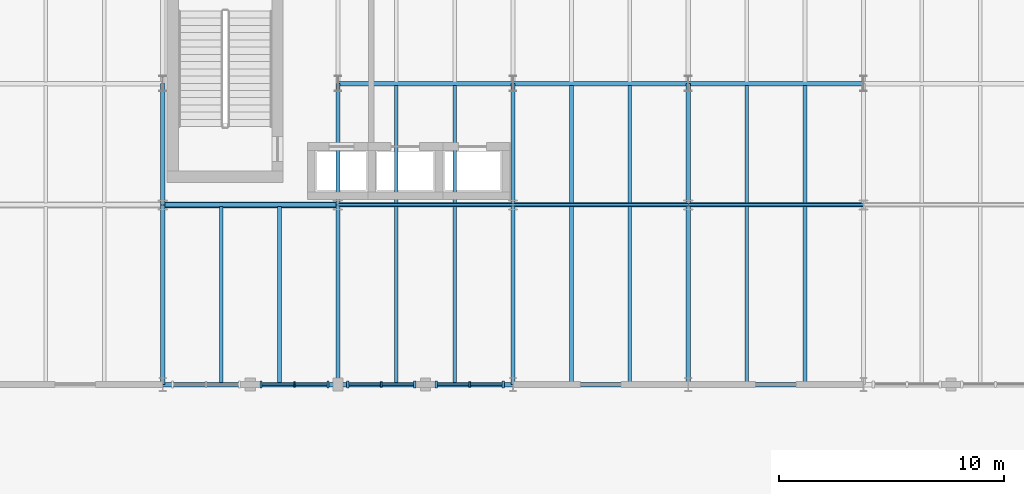
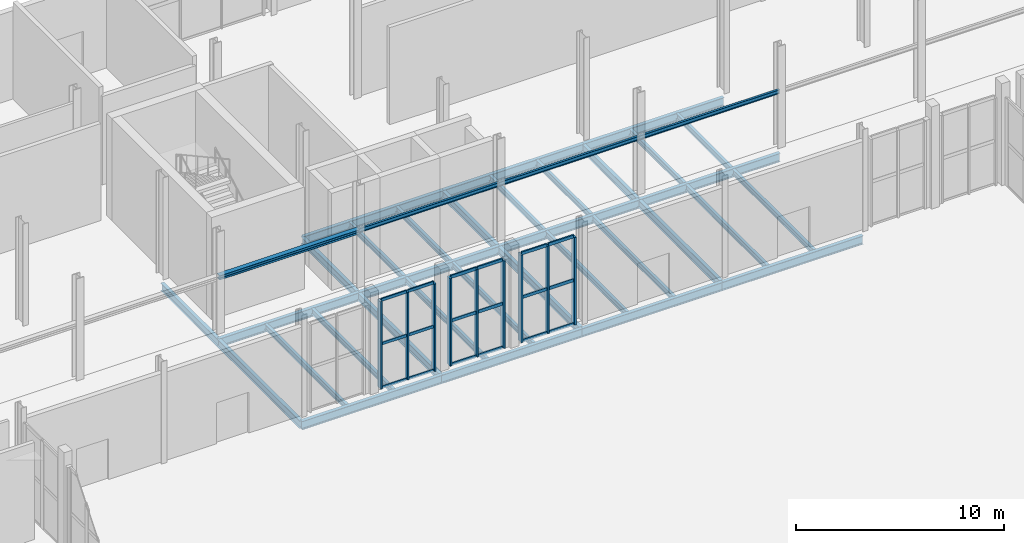
# One storey, part 36 of 84: 37 beams, 27 members, 3 elements without a shape of their own.
"""IFC4 building model written with IfcOpenShell, lengths in metres."""

from ifc_helpers import new_model, si_unit, direction, frame, origin, origin_2d, place, context, subcontext, project, spatial, rectangle, i_section, extrude, material, layer, layer_set, material_profile, profile_set, type_object, element, aggregate, save


model = new_model("IFC4")

# Units and contexts
model_context = context("Model", 3, precision=1e-05, world=origin(), true_north=direction((0.0, 1.0)))
body_context = subcontext(model_context, "Body", "Model", "MODEL_VIEW")
ifc_project = project(units=[si_unit("LENGTHUNIT", "METRE"), si_unit("AREAUNIT", "SQUARE_METRE"), si_unit("VOLUMEUNIT", "CUBIC_METRE"), si_unit("PLANEANGLEUNIT", "RADIAN"), si_unit("MASSUNIT", "GRAM", prefix="KILO")], contexts=[model_context])

# Site, building, storey
site_placement = place(None, origin())
site = spatial("IfcSite", under=ifc_project, at=site_placement, CompositionType="ELEMENT")
building_placement = place(site_placement, origin())
building = spatial("IfcBuilding", under=site, at=building_placement, Name="Sefraquen Railside Congress Hotel", CompositionType="ELEMENT")
storey_placement = place(building_placement, origin())
storey = spatial("IfcBuildingStorey", under=building, at=storey_placement, Name="L00", CompositionType="ELEMENT", Elevation=0.0)

# Beams
ifc_material_1 = material(Name="Steel S355JR", Category="steel")
ifc_material_profile_1 = material_profile(ifc_material_1, i_section(OverallWidth=0.18994140625, OverallDepth=0.449951171875, WebThickness=0.009521484375, FlangeThickness=0.0146484375, FilletRadius=0.02099609375, at=origin_2d()), Name="IPE 450")
ifc_profile_set_1 = profile_set([ifc_material_profile_1], Name="Steel S355JR")
beam_type_1 = type_object("IfcBeamType", Name="TB-BM-450", PredefinedType="BEAM", material=ifc_profile_set_1)
beam_1_placement = place(storey_placement, frame((64.199951171875, 88.0, -0.625), z_axis=(0.0, 1.0, 0.0), x_axis=(-1.0, 0.0, 0.0)))
element("IfcBeam", 1, at=beam_1_placement, inside=storey, type_object=beam_type_1, Name="Floor beam BM-L00-0241", PredefinedType="BEAM", context=body_context, shape_type="SweptSolid", body=[
    extrude(i_section(OverallWidth=0.18994140625, OverallDepth=0.449951171875, WebThickness=0.009521484375, FlangeThickness=0.0146484375, FilletRadius=0.02099609375, at=origin_2d()), origin(), (0.0, 0.0, 1.0), 8.0),
])
beam_2_placement = place(storey_placement, frame((64.199951171875, 96.0, -0.625), z_axis=(0.0, 1.0, 0.0), x_axis=(-1.0, 0.0, 0.0)))
element("IfcBeam", 2, at=beam_2_placement, inside=storey, type_object=beam_type_1, Name="Floor beam BM-L00-0242", PredefinedType="BEAM", context=body_context, shape_type="SweptSolid", body=[
    extrude(i_section(OverallWidth=0.18994140625, OverallDepth=0.449951171875, WebThickness=0.009521484375, FlangeThickness=0.0146484375, FilletRadius=0.02099609375, at=origin_2d()), origin(), (0.0, 0.0, 1.0), 5.39990234375),
])
beam_3_placement = place(storey_placement, frame((72.0, 88.0, -0.625), z_axis=(0.0, 1.0, 0.0), x_axis=(-1.0, 0.0, 0.0)))
element("IfcBeam", 3, at=beam_3_placement, inside=storey, type_object=beam_type_1, Name="Floor beam BM-L00-0245", PredefinedType="BEAM", context=body_context, shape_type="SweptSolid", body=[
    extrude(i_section(OverallWidth=0.18994140625, OverallDepth=0.449951171875, WebThickness=0.009521484375, FlangeThickness=0.0146484375, FilletRadius=0.02099609375, at=origin_2d()), origin(), (0.0, 0.0, 1.0), 8.0),
])
beam_4_placement = place(storey_placement, frame((72.0, 96.0, -0.625), z_axis=(0.0, 1.0, 0.0), x_axis=(-1.0, 0.0, 0.0)))
element("IfcBeam", 4, at=beam_4_placement, inside=storey, type_object=beam_type_1, Name="Floor beam BM-L00-0246", PredefinedType="BEAM", context=body_context, shape_type="SweptSolid", body=[
    extrude(i_section(OverallWidth=0.18994140625, OverallDepth=0.449951171875, WebThickness=0.009521484375, FlangeThickness=0.0146484375, FilletRadius=0.02099609375, at=origin_2d()), origin(), (0.0, 0.0, 1.0), 5.39990234375),
])
beam_5_placement = place(storey_placement, frame((79.800048828125, 88.0, -0.625), z_axis=(0.0, 1.0, 0.0), x_axis=(-1.0, 0.0, 0.0)))
element("IfcBeam", 5, at=beam_5_placement, inside=storey, type_object=beam_type_1, Name="Floor beam BM-L00-0250", PredefinedType="BEAM", context=body_context, shape_type="SweptSolid", body=[
    extrude(i_section(OverallWidth=0.18994140625, OverallDepth=0.449951171875, WebThickness=0.009521484375, FlangeThickness=0.0146484375, FilletRadius=0.02099609375, at=origin_2d()), origin(), (0.0, 0.0, 1.0), 8.0),
])
beam_6_placement = place(storey_placement, frame((79.800048828125, 96.0, -0.625), z_axis=(0.0, 1.0, 0.0), x_axis=(-1.0, 0.0, 0.0)))
element("IfcBeam", 6, at=beam_6_placement, inside=storey, type_object=beam_type_1, Name="Floor beam BM-L00-0251", PredefinedType="BEAM", context=body_context, shape_type="SweptSolid", body=[
    extrude(i_section(OverallWidth=0.18994140625, OverallDepth=0.449951171875, WebThickness=0.009521484375, FlangeThickness=0.0146484375, FilletRadius=0.02099609375, at=origin_2d()), origin(), (0.0, 0.0, 1.0), 5.39990234375),
])
beam_7_placement = place(storey_placement, frame((87.60009765625, 88.0, -0.625), z_axis=(0.0, 1.0, 0.0), x_axis=(-1.0, 0.0, 0.0)))
element("IfcBeam", 7, at=beam_7_placement, inside=storey, type_object=beam_type_1, Name="Floor beam BM-L00-0259", PredefinedType="BEAM", context=body_context, shape_type="SweptSolid", body=[
    extrude(i_section(OverallWidth=0.18994140625, OverallDepth=0.449951171875, WebThickness=0.009521484375, FlangeThickness=0.0146484375, FilletRadius=0.02099609375, at=origin_2d()), origin(), (0.0, 0.0, 1.0), 8.0),
])
beam_8_placement = place(storey_placement, frame((87.60009765625, 96.0, -0.625), z_axis=(0.0, 1.0, 0.0), x_axis=(-1.0, 0.0, 0.0)))
element("IfcBeam", 8, at=beam_8_placement, inside=storey, type_object=beam_type_1, Name="Floor beam BM-L00-0260", PredefinedType="BEAM", context=body_context, shape_type="SweptSolid", body=[
    extrude(i_section(OverallWidth=0.18994140625, OverallDepth=0.449951171875, WebThickness=0.009521484375, FlangeThickness=0.0146484375, FilletRadius=0.02099609375, at=origin_2d()), origin(), (0.0, 0.0, 1.0), 5.39990234375),
])
ifc_material_profile_2 = material_profile(ifc_material_1, i_section(OverallWidth=0.199951171875, OverallDepth=0.5, WebThickness=0.01025390625, FlangeThickness=0.01611328125, FilletRadius=0.02099609375, at=origin_2d()), Name="IPE 500")
ifc_profile_set_2 = profile_set([ifc_material_profile_2], Name="Steel S355JR")
beam_type_2 = type_object("IfcBeamType", Name="TB-BM-500", PredefinedType="BEAM", material=ifc_profile_set_2)
for number, where, z_axis, x_axis, name in (
    (9, (64.199951171875, 88.0, -0.64990234375), (1.0, 0.0, 0.0), (0.0, 1.0, 0.0), "Primary girder BM-L00-0106"),
    (10, (72.0, 88.0, -0.64990234375), (1.0, 0.0, 0.0), (0.0, 1.0, 0.0), "Primary girder BM-L00-0107"),
    (11, (79.800048828125, 88.0, -0.64990234375), (1.0, 0.0, 0.0), (0.0, 1.0, 0.0), "Primary girder BM-L00-0108"),
):
    element("IfcBeam", number, at=place(storey_placement, frame(where, z_axis=z_axis, x_axis=x_axis)), inside=storey, type_object=beam_type_2, Name=name, PredefinedType="BEAM", context=body_context, shape_type="SweptSolid", body=[
        extrude(i_section(OverallWidth=0.199951171875, OverallDepth=0.5, WebThickness=0.01025390625, FlangeThickness=0.01611328125, FilletRadius=0.02099609375, at=origin_2d()), origin(), (0.0, 0.0, 1.0), 7.800048828125),
    ])
beam_9_placement = place(storey_placement, frame((87.60009765625, 88.0, -0.64990234375), z_axis=(1.0, 0.0, 0.0), x_axis=(0.0, 1.0, 0.0)))
element("IfcBeam", 12, at=beam_9_placement, inside=storey, type_object=beam_type_2, Name="Primary girder BM-L00-0109", PredefinedType="BEAM", context=body_context, shape_type="SweptSolid", body=[
    extrude(i_section(OverallWidth=0.199951171875, OverallDepth=0.5, WebThickness=0.01025390625, FlangeThickness=0.01611328125, FilletRadius=0.02099609375, at=origin_2d()), origin(), (0.0, 0.0, 1.0), 7.7998046875),
])
for number, where, z_axis, x_axis, name in (
    (13, (64.199951171875, 96.0, -0.64990234375), (1.0, 0.0, 0.0), (0.0, 1.0, 0.0), "Primary girder BM-L00-0122"),
    (14, (72.0, 96.0, -0.64990234375), (1.0, 0.0, 0.0), (0.0, 1.0, 0.0), "Primary girder BM-L00-0123"),
    (15, (79.800048828125, 96.0, -0.64990234375), (1.0, 0.0, 0.0), (0.0, 1.0, 0.0), "Primary girder BM-L00-0124"),
):
    element("IfcBeam", number, at=place(storey_placement, frame(where, z_axis=z_axis, x_axis=x_axis)), inside=storey, type_object=beam_type_2, Name=name, PredefinedType="BEAM", context=body_context, shape_type="SweptSolid", body=[
        extrude(i_section(OverallWidth=0.199951171875, OverallDepth=0.5, WebThickness=0.01025390625, FlangeThickness=0.01611328125, FilletRadius=0.02099609375, at=origin_2d()), origin(), (0.0, 0.0, 1.0), 7.800048828125),
    ])
beam_10_placement = place(storey_placement, frame((87.60009765625, 96.0, -0.64990234375), z_axis=(1.0, 0.0, 0.0), x_axis=(0.0, 1.0, 0.0)))
element("IfcBeam", 16, at=beam_10_placement, inside=storey, type_object=beam_type_2, Name="Primary girder BM-L00-0125", PredefinedType="BEAM", context=body_context, shape_type="SweptSolid", body=[
    extrude(i_section(OverallWidth=0.199951171875, OverallDepth=0.5, WebThickness=0.01025390625, FlangeThickness=0.01611328125, FilletRadius=0.02099609375, at=origin_2d()), origin(), (0.0, 0.0, 1.0), 7.7998046875),
])
for number, where, z_axis, x_axis, name in (
    (17, (72.0, 101.39990234375, -0.64990234375), (1.0, 0.0, 0.0), (0.0, 1.0, 0.0), "Primary girder BM-L00-0141"),
    (18, (79.800048828125, 101.39990234375, -0.64990234375), (1.0, 0.0, 0.0), (0.0, 1.0, 0.0), "Primary girder BM-L00-0142"),
):
    element("IfcBeam", number, at=place(storey_placement, frame(where, z_axis=z_axis, x_axis=x_axis)), inside=storey, type_object=beam_type_2, Name=name, PredefinedType="BEAM", context=body_context, shape_type="SweptSolid", body=[
        extrude(i_section(OverallWidth=0.199951171875, OverallDepth=0.5, WebThickness=0.01025390625, FlangeThickness=0.01611328125, FilletRadius=0.02099609375, at=origin_2d()), origin(), (0.0, 0.0, 1.0), 7.800048828125),
    ])
beam_11_placement = place(storey_placement, frame((87.60009765625, 101.39990234375, -0.64990234375), z_axis=(1.0, 0.0, 0.0), x_axis=(0.0, 1.0, 0.0)))
element("IfcBeam", 19, at=beam_11_placement, inside=storey, type_object=beam_type_2, Name="Primary girder BM-L00-0143", PredefinedType="BEAM", context=body_context, shape_type="SweptSolid", body=[
    extrude(i_section(OverallWidth=0.199951171875, OverallDepth=0.5, WebThickness=0.01025390625, FlangeThickness=0.01611328125, FilletRadius=0.02099609375, at=origin_2d()), origin(), (0.0, 0.0, 1.0), 7.7998046875),
])
ifc_material_profile_3 = material_profile(ifc_material_1, i_section(OverallWidth=0.159912109375, OverallDepth=0.330078125, WebThickness=0.007568359375, FlangeThickness=0.011474609375, FilletRadius=0.01806640625, at=origin_2d()), Name="IPE 330")
ifc_profile_set_3 = profile_set([ifc_material_profile_3], Name="Steel S355JR")
beam_type_3 = type_object("IfcBeamType", Name="TB-JST-330", PredefinedType="JOIST", material=ifc_profile_set_3)
for number, where, z_axis, x_axis, name in (
    (20, (66.800048828125, 88.080078125, -0.56494140625), (0.0, 1.0, 0.0), (-1.0, 0.0, 0.0), "Composite floor joist BM-L00-J0104"),
    (21, (69.39990234375, 88.080078125, -0.56494140625), (0.0, 1.0, 0.0), (-1.0, 0.0, 0.0), "Composite floor joist BM-L00-J0105"),
    (22, (74.60009765625, 88.080078125, -0.56494140625), (0.0, 1.0, 0.0), (-1.0, 0.0, 0.0), "Composite floor joist BM-L00-J0108"),
    (23, (77.199951171875, 88.080078125, -0.56494140625), (0.0, 1.0, 0.0), (-1.0, 0.0, 0.0), "Composite floor joist BM-L00-J0109"),
):
    element("IfcBeam", number, at=place(storey_placement, frame(where, z_axis=z_axis, x_axis=x_axis)), inside=storey, type_object=beam_type_3, Name=name, PredefinedType="JOIST", context=body_context, shape_type="SweptSolid", body=[
        extrude(i_section(OverallWidth=0.159912109375, OverallDepth=0.330078125, WebThickness=0.007568359375, FlangeThickness=0.011474609375, FilletRadius=0.01806640625, at=origin_2d()), origin(), (0.0, 0.0, 1.0), 7.83984375),
    ])
for number, where, z_axis, x_axis, name in (
    (24, (74.60009765625, 96.080078125, -0.56494140625), (0.0, 1.0, 0.0), (-1.0, 0.0, 0.0), "Composite floor joist BM-L00-J0110"),
    (25, (77.199951171875, 96.080078125, -0.56494140625), (0.0, 1.0, 0.0), (-1.0, 0.0, 0.0), "Composite floor joist BM-L00-J0111"),
):
    element("IfcBeam", number, at=place(storey_placement, frame(where, z_axis=z_axis, x_axis=x_axis)), inside=storey, type_object=beam_type_3, Name=name, PredefinedType="JOIST", context=body_context, shape_type="SweptSolid", body=[
        extrude(i_section(OverallWidth=0.159912109375, OverallDepth=0.330078125, WebThickness=0.007568359375, FlangeThickness=0.011474609375, FilletRadius=0.01806640625, at=origin_2d()), origin(), (0.0, 0.0, 1.0), 5.239990234375),
    ])
for number, where, z_axis, x_axis, name in (
    (26, (82.39990234375, 88.080078125, -0.56494140625), (0.0, 1.0, 0.0), (-1.0, 0.0, 0.0), "Composite floor joist BM-L00-J0118"),
    (27, (85.0, 88.080078125, -0.56494140625), (0.0, 1.0, 0.0), (-1.0, 0.0, 0.0), "Composite floor joist BM-L00-J0119"),
):
    element("IfcBeam", number, at=place(storey_placement, frame(where, z_axis=z_axis, x_axis=x_axis)), inside=storey, type_object=beam_type_3, Name=name, PredefinedType="JOIST", context=body_context, shape_type="SweptSolid", body=[
        extrude(i_section(OverallWidth=0.159912109375, OverallDepth=0.330078125, WebThickness=0.007568359375, FlangeThickness=0.011474609375, FilletRadius=0.01806640625, at=origin_2d()), origin(), (0.0, 0.0, 1.0), 7.83984375),
    ])
for number, where, z_axis, x_axis, name in (
    (28, (82.39990234375, 96.080078125, -0.56494140625), (0.0, 1.0, 0.0), (-1.0, 0.0, 0.0), "Composite floor joist BM-L00-J0120"),
    (29, (85.0, 96.080078125, -0.56494140625), (0.0, 1.0, 0.0), (-1.0, 0.0, 0.0), "Composite floor joist BM-L00-J0121"),
):
    element("IfcBeam", number, at=place(storey_placement, frame(where, z_axis=z_axis, x_axis=x_axis)), inside=storey, type_object=beam_type_3, Name=name, PredefinedType="JOIST", context=body_context, shape_type="SweptSolid", body=[
        extrude(i_section(OverallWidth=0.159912109375, OverallDepth=0.330078125, WebThickness=0.007568359375, FlangeThickness=0.011474609375, FilletRadius=0.01806640625, at=origin_2d()), origin(), (0.0, 0.0, 1.0), 5.239990234375),
    ])
for number, where, z_axis, x_axis, name in (
    (30, (90.199951171875, 88.080078125, -0.56494140625), (0.0, 1.0, 0.0), (-1.0, 0.0, 0.0), "Composite floor joist BM-L00-J0136"),
    (31, (92.800048828125, 88.080078125, -0.56494140625), (0.0, 1.0, 0.0), (-1.0, 0.0, 0.0), "Composite floor joist BM-L00-J0137"),
):
    element("IfcBeam", number, at=place(storey_placement, frame(where, z_axis=z_axis, x_axis=x_axis)), inside=storey, type_object=beam_type_3, Name=name, PredefinedType="JOIST", context=body_context, shape_type="SweptSolid", body=[
        extrude(i_section(OverallWidth=0.159912109375, OverallDepth=0.330078125, WebThickness=0.007568359375, FlangeThickness=0.011474609375, FilletRadius=0.01806640625, at=origin_2d()), origin(), (0.0, 0.0, 1.0), 7.83984375),
    ])
for number, where, z_axis, x_axis, name in (
    (32, (90.199951171875, 96.080078125, -0.56494140625), (0.0, 1.0, 0.0), (-1.0, 0.0, 0.0), "Composite floor joist BM-L00-J0138"),
    (33, (92.800048828125, 96.080078125, -0.56494140625), (0.0, 1.0, 0.0), (-1.0, 0.0, 0.0), "Composite floor joist BM-L00-J0139"),
):
    element("IfcBeam", number, at=place(storey_placement, frame(where, z_axis=z_axis, x_axis=x_axis)), inside=storey, type_object=beam_type_3, Name=name, PredefinedType="JOIST", context=body_context, shape_type="SweptSolid", body=[
        extrude(i_section(OverallWidth=0.159912109375, OverallDepth=0.330078125, WebThickness=0.007568359375, FlangeThickness=0.011474609375, FilletRadius=0.01806640625, at=origin_2d()), origin(), (0.0, 0.0, 1.0), 5.239990234375),
    ])
ifc_material_profile_4 = material_profile(ifc_material_1, i_section(OverallWidth=0.1201171875, OverallDepth=0.239990234375, WebThickness=0.006103515625, FlangeThickness=0.009765625, FilletRadius=0.014892578125, at=origin_2d()), Name="IPE 240")
ifc_profile_set_4 = profile_set([ifc_material_profile_4], Name="Steel S355JR")
beam_type_4 = type_object("IfcBeamType", Name="TB-LNT-240", PredefinedType="LINTEL", material=ifc_profile_set_4)
for number, where, z_axis, x_axis, name in (
    (34, (72.0, 96.0, 3.199951171875), (1.0, 0.0, 0.0), (0.0, 1.0, 0.0), "Portal opening lintel beam 07"),
    (35, (79.800048828125, 96.0, 3.199951171875), (1.0, 0.0, 0.0), (0.0, 1.0, 0.0), "Portal opening lintel beam 08"),
):
    element("IfcBeam", number, at=place(storey_placement, frame(where, z_axis=z_axis, x_axis=x_axis)), inside=storey, type_object=beam_type_4, Name=name, PredefinedType="LINTEL", context=body_context, shape_type="SweptSolid", body=[
        extrude(i_section(OverallWidth=0.1201171875, OverallDepth=0.239990234375, WebThickness=0.006103515625, FlangeThickness=0.009765625, FilletRadius=0.014892578125, at=origin_2d()), origin(), (0.0, 0.0, 1.0), 7.800048828125),
    ])
beam_12_placement = place(storey_placement, frame((87.60009765625, 96.0, 3.199951171875), z_axis=(1.0, 0.0, 0.0), x_axis=(0.0, 1.0, 0.0)))
element("IfcBeam", 36, at=beam_12_placement, inside=storey, type_object=beam_type_4, Name="Portal opening lintel beam 09", PredefinedType="LINTEL", context=body_context, shape_type="SweptSolid", body=[
    extrude(i_section(OverallWidth=0.1201171875, OverallDepth=0.239990234375, WebThickness=0.006103515625, FlangeThickness=0.009765625, FilletRadius=0.014892578125, at=origin_2d()), origin(), (0.0, 0.0, 1.0), 7.7998046875),
])
ifc_material_profile_5 = material_profile(ifc_material_1, i_section(OverallWidth=0.260009765625, OverallDepth=0.25, WebThickness=0.007568359375, FlangeThickness=0.012451171875, FilletRadius=0.02392578125, at=origin_2d()), Name="HEA 260")
ifc_profile_set_5 = profile_set([ifc_material_profile_5], Name="Steel S355JR")
beam_type_5 = type_object("IfcBeamType", Name="TB-LNT-260", PredefinedType="LINTEL", material=ifc_profile_set_5)
beam_13_placement = place(storey_placement, frame((64.199951171875, 96.0, 3.199951171875), z_axis=(1.0, 0.0, 0.0), x_axis=(0.0, 1.0, 0.0)))
element("IfcBeam", 37, at=beam_13_placement, inside=storey, type_object=beam_type_5, Name="Portal opening lintel beam 06", PredefinedType="LINTEL", context=body_context, shape_type="SweptSolid", body=[
    extrude(i_section(OverallWidth=0.260009765625, OverallDepth=0.25, WebThickness=0.007568359375, FlangeThickness=0.012451171875, FilletRadius=0.02392578125, at=origin_2d()), origin(), (0.0, 0.0, 1.0), 7.800048828125),
])

# Curtain wall, member
ifc_material_2 = material(Name="Thermally broken anodised aluminium and low-E double glazing", Category="aluminium")
ifc_layer_1 = layer(ifc_material_2, 0.199951171875)
ifc_layer_set_1 = layer_set([ifc_layer_1], Name="Thermally broken anodised aluminium and low-E double glazing")
curtain_wall_type_1 = type_object("IfcCurtainWallType", Name="TCW-UCW-12", PredefinedType="USERDEFINED", material=ifc_layer_set_1)
curtain_wall_1_placement = place(storey_placement, origin())
curtain_wall_1 = element("IfcCurtainWall", 38, at=curtain_wall_1_placement, inside=storey, type_object=curtain_wall_type_1, Name="Courtyard north arcade curtain wall UCW-12 bay 2", ObjectType="UNITISED CURTAIN WALL", PredefinedType="USERDEFINED")
ifc_material_3 = material(Name="Thermally broken anodised aluminium 6063-T6", Category="aluminium")
ifc_material_profile_6 = material_profile(ifc_material_3, rectangle(XDim=0.080078125, YDim=0.239990234375, at=origin_2d()), Name="CWM 80x240")
ifc_profile_set_6 = profile_set([ifc_material_profile_6], Name="Thermally broken anodised aluminium 6063-T6")
member_type_1 = type_object("IfcMemberType", Name="TM-CWM-05", PredefinedType="MULLION", material=ifc_profile_set_6)
member_1_placement = place(storey_placement, frame((70.070068359375, 88.0, 0.0), z_axis=(0.0, 0.0, 1.0), x_axis=(1.0, 0.0, 0.0)))
member_1 = element("IfcMember", 39, at=member_1_placement, type_object=member_type_1, Name="CW-L00-012-S2 mullion 2", PredefinedType="MULLION", context=body_context, shape_type="SweptSolid", body=[
    extrude(rectangle(XDim=0.080078125, YDim=0.239990234375, at=origin_2d()), origin(), (0.0, 0.0, 1.0), 5.14990234375),
])

ifc_layer_2 = layer(ifc_material_2, 0.199951171875)
ifc_layer_set_2 = layer_set([ifc_layer_2], Name="Thermally broken anodised aluminium and low-E double glazing")
curtain_wall_type_2 = type_object("IfcCurtainWallType", Name="TCW-UCW-13", PredefinedType="USERDEFINED", material=ifc_layer_set_2)
curtain_wall_2_placement = place(storey_placement, origin())
curtain_wall_2 = element("IfcCurtainWall", 40, at=curtain_wall_2_placement, inside=storey, type_object=curtain_wall_type_2, Name="Courtyard north arcade curtain wall UCW-13", ObjectType="UNITISED CURTAIN WALL", PredefinedType="USERDEFINED")
ifc_material_profile_7 = material_profile(ifc_material_3, rectangle(XDim=0.0849609375, YDim=0.260009765625, at=origin_2d()), Name="CWM 85x260")
ifc_profile_set_7 = profile_set([ifc_material_profile_7], Name="Thermally broken anodised aluminium 6063-T6")
member_type_2 = type_object("IfcMemberType", Name="TM-CWM-06", PredefinedType="MULLION", material=ifc_profile_set_7)
member_2_placement = place(storey_placement, frame((73.929931640625, 88.0, 0.0), z_axis=(0.0, 0.0, 1.0), x_axis=(1.0, 0.0, 0.0)))
member_2 = element("IfcMember", 41, at=member_2_placement, type_object=member_type_2, Name="CW-L00-013 mullion 2", PredefinedType="MULLION", context=body_context, shape_type="SweptSolid", body=[
    extrude(rectangle(XDim=0.0849609375, YDim=0.260009765625, at=origin_2d()), origin(), (0.0, 0.0, 1.0), 5.14990234375),
])

curtain_wall_3_placement = place(storey_placement, origin())
curtain_wall_3 = element("IfcCurtainWall", 42, at=curtain_wall_3_placement, inside=storey, type_object=curtain_wall_type_2, Name="Courtyard north arcade curtain wall UCW-13 bay 2", ObjectType="UNITISED CURTAIN WALL", PredefinedType="USERDEFINED")
member_3_placement = place(storey_placement, frame((77.8701171875, 88.0, 0.0), z_axis=(0.0, 0.0, 1.0), x_axis=(1.0, 0.0, 0.0)))
member_3 = element("IfcMember", 43, at=member_3_placement, type_object=member_type_2, Name="CW-L00-013-S2 mullion 2", PredefinedType="MULLION", context=body_context, shape_type="SweptSolid", body=[
    extrude(rectangle(XDim=0.0849609375, YDim=0.260009765625, at=origin_2d()), origin(), (0.0, 0.0, 1.0), 5.14990234375),
])

# Member
ifc_material_profile_8 = material_profile(ifc_material_3, rectangle(XDim=0.094970703125, YDim=0.300048828125, at=origin_2d()), Name="CWM 95x300")
ifc_profile_set_8 = profile_set([ifc_material_profile_8], Name="Thermally broken anodised aluminium 6063-T6")
member_type_3 = type_object("IfcMemberType", Name="TM-CWM-08", PredefinedType="MULLION", material=ifc_profile_set_8)
member_4_placement = place(storey_placement, frame((68.580078125, 88.0, 0.0), z_axis=(0.0, 0.0, 1.0), x_axis=(1.0, 0.0, 0.0)))
member_4 = element("IfcMember", 44, at=member_4_placement, type_object=member_type_3, Name="CW-L00-012-S2 mullion 1", PredefinedType="MULLION", context=body_context, shape_type="SweptSolid", body=[
    extrude(rectangle(XDim=0.094970703125, YDim=0.300048828125, at=origin_2d()), origin(), (0.0, 0.0, 1.0), 5.14990234375),
])

member_5_placement = place(storey_placement, frame((71.56005859375, 88.0, 0.0), z_axis=(0.0, 0.0, 1.0), x_axis=(1.0, 0.0, 0.0)))
member_5 = element("IfcMember", 45, at=member_5_placement, type_object=member_type_3, Name="CW-L00-012-S2 mullion 3", PredefinedType="MULLION", context=body_context, shape_type="SweptSolid", body=[
    extrude(rectangle(XDim=0.094970703125, YDim=0.300048828125, at=origin_2d()), origin(), (0.0, 0.0, 1.0), 5.14990234375),
])

member_6_placement = place(storey_placement, frame((72.43994140625, 88.0, 0.0), z_axis=(0.0, 0.0, 1.0), x_axis=(1.0, 0.0, 0.0)))
member_6 = element("IfcMember", 46, at=member_6_placement, type_object=member_type_3, Name="CW-L00-013 mullion 1", PredefinedType="MULLION", context=body_context, shape_type="SweptSolid", body=[
    extrude(rectangle(XDim=0.094970703125, YDim=0.300048828125, at=origin_2d()), origin(), (0.0, 0.0, 1.0), 5.14990234375),
])

member_7_placement = place(storey_placement, frame((75.419921875, 88.0, 0.0), z_axis=(0.0, 0.0, 1.0), x_axis=(1.0, 0.0, 0.0)))
member_7 = element("IfcMember", 47, at=member_7_placement, type_object=member_type_3, Name="CW-L00-013 mullion 3", PredefinedType="MULLION", context=body_context, shape_type="SweptSolid", body=[
    extrude(rectangle(XDim=0.094970703125, YDim=0.300048828125, at=origin_2d()), origin(), (0.0, 0.0, 1.0), 5.14990234375),
])

member_8_placement = place(storey_placement, frame((76.3798828125, 88.0, 0.0), z_axis=(0.0, 0.0, 1.0), x_axis=(1.0, 0.0, 0.0)))
member_8 = element("IfcMember", 48, at=member_8_placement, type_object=member_type_3, Name="CW-L00-013-S2 mullion 1", PredefinedType="MULLION", context=body_context, shape_type="SweptSolid", body=[
    extrude(rectangle(XDim=0.094970703125, YDim=0.300048828125, at=origin_2d()), origin(), (0.0, 0.0, 1.0), 5.14990234375),
])

member_9_placement = place(storey_placement, frame((79.360107421875, 88.0, 0.0), z_axis=(0.0, 0.0, 1.0), x_axis=(1.0, 0.0, 0.0)))
member_9 = element("IfcMember", 49, at=member_9_placement, type_object=member_type_3, Name="CW-L00-013-S2 mullion 3", PredefinedType="MULLION", context=body_context, shape_type="SweptSolid", body=[
    extrude(rectangle(XDim=0.094970703125, YDim=0.300048828125, at=origin_2d()), origin(), (0.0, 0.0, 1.0), 5.14990234375),
])

ifc_material_profile_9 = material_profile(ifc_material_3, rectangle(XDim=0.074951171875, YDim=0.1650390625, at=origin_2d()), Name="CWT 75x165")
ifc_profile_set_9 = profile_set([ifc_material_profile_9], Name="Thermally broken anodised aluminium 6063-T6")
member_type_4 = type_object("IfcMemberType", Name="TM-CWT-04", PredefinedType="USERDEFINED", material=ifc_profile_set_9)
member_10_placement = place(storey_placement, frame((68.625, 88.0, 0.0), z_axis=(1.0, 0.0, 0.0), x_axis=(0.0, 1.0, 0.0)))
member_10 = element("IfcMember", 50, at=member_10_placement, type_object=member_type_4, Name="CW-L00-012-S2 transom 1.1", ObjectType="TRANSOM", PredefinedType="USERDEFINED", context=body_context, shape_type="SweptSolid", body=[
    extrude(rectangle(XDim=0.074951171875, YDim=0.1650390625, at=origin_2d()), origin(), (0.0, 0.0, 1.0), 1.39990234375),
])

member_11_placement = place(storey_placement, frame((70.114990234375, 88.0, 0.0), z_axis=(1.0, 0.0, 0.0), x_axis=(0.0, 1.0, 0.0)))
member_11 = element("IfcMember", 51, at=member_11_placement, type_object=member_type_4, Name="CW-L00-012-S2 transom 1.2", ObjectType="TRANSOM", PredefinedType="USERDEFINED", context=body_context, shape_type="SweptSolid", body=[
    extrude(rectangle(XDim=0.074951171875, YDim=0.1650390625, at=origin_2d()), origin(), (0.0, 0.0, 1.0), 1.39990234375),
])

member_12_placement = place(storey_placement, frame((68.625, 88.0, 2.574951171875), z_axis=(1.0, 0.0, 0.0), x_axis=(0.0, 1.0, 0.0)))
member_12 = element("IfcMember", 52, at=member_12_placement, type_object=member_type_4, Name="CW-L00-012-S2 transom 2.1", ObjectType="TRANSOM", PredefinedType="USERDEFINED", context=body_context, shape_type="SweptSolid", body=[
    extrude(rectangle(XDim=0.074951171875, YDim=0.1650390625, at=origin_2d()), origin(), (0.0, 0.0, 1.0), 1.39990234375),
])

member_13_placement = place(storey_placement, frame((70.114990234375, 88.0, 2.574951171875), z_axis=(1.0, 0.0, 0.0), x_axis=(0.0, 1.0, 0.0)))
member_13 = element("IfcMember", 53, at=member_13_placement, type_object=member_type_4, Name="CW-L00-012-S2 transom 2.2", ObjectType="TRANSOM", PredefinedType="USERDEFINED", context=body_context, shape_type="SweptSolid", body=[
    extrude(rectangle(XDim=0.074951171875, YDim=0.1650390625, at=origin_2d()), origin(), (0.0, 0.0, 1.0), 1.39990234375),
])

member_14_placement = place(storey_placement, frame((68.625, 88.0, 5.14990234375), z_axis=(1.0, 0.0, 0.0), x_axis=(0.0, 1.0, 0.0)))
member_14 = element("IfcMember", 54, at=member_14_placement, type_object=member_type_4, Name="CW-L00-012-S2 transom 3.1", ObjectType="TRANSOM", PredefinedType="USERDEFINED", context=body_context, shape_type="SweptSolid", body=[
    extrude(rectangle(XDim=0.074951171875, YDim=0.1650390625, at=origin_2d()), origin(), (0.0, 0.0, 1.0), 1.39990234375),
])

member_15_placement = place(storey_placement, frame((70.114990234375, 88.0, 5.14990234375), z_axis=(1.0, 0.0, 0.0), x_axis=(0.0, 1.0, 0.0)))
member_15 = element("IfcMember", 55, at=member_15_placement, type_object=member_type_4, Name="CW-L00-012-S2 transom 3.2", ObjectType="TRANSOM", PredefinedType="USERDEFINED", context=body_context, shape_type="SweptSolid", body=[
    extrude(rectangle(XDim=0.074951171875, YDim=0.1650390625, at=origin_2d()), origin(), (0.0, 0.0, 1.0), 1.39990234375),
])

aggregate(curtain_wall_1, [member_4, member_1, member_5, member_10, member_11, member_12, member_13, member_14, member_15])

ifc_material_profile_10 = material_profile(ifc_material_3, rectangle(XDim=0.080078125, YDim=0.179931640625, at=origin_2d()), Name="CWT 80x180")
ifc_profile_set_10 = profile_set([ifc_material_profile_10], Name="Thermally broken anodised aluminium 6063-T6")
member_type_5 = type_object("IfcMemberType", Name="TM-CWT-05", PredefinedType="USERDEFINED", material=ifc_profile_set_10)
member_16_placement = place(storey_placement, frame((72.485107421875, 88.0, 0.0), z_axis=(1.0, 0.0, 0.0), x_axis=(0.0, 1.0, 0.0)))
member_16 = element("IfcMember", 56, at=member_16_placement, type_object=member_type_5, Name="CW-L00-013 transom 1.1", ObjectType="TRANSOM", PredefinedType="USERDEFINED", context=body_context, shape_type="SweptSolid", body=[
    extrude(rectangle(XDim=0.080078125, YDim=0.179931640625, at=origin_2d()), origin(), (0.0, 0.0, 1.0), 1.39990234375),
])

member_17_placement = place(storey_placement, frame((73.97509765625, 88.0, 0.0), z_axis=(1.0, 0.0, 0.0), x_axis=(0.0, 1.0, 0.0)))
member_17 = element("IfcMember", 57, at=member_17_placement, type_object=member_type_5, Name="CW-L00-013 transom 1.2", ObjectType="TRANSOM", PredefinedType="USERDEFINED", context=body_context, shape_type="SweptSolid", body=[
    extrude(rectangle(XDim=0.080078125, YDim=0.179931640625, at=origin_2d()), origin(), (0.0, 0.0, 1.0), 1.39990234375),
])

member_18_placement = place(storey_placement, frame((72.485107421875, 88.0, 2.574951171875), z_axis=(1.0, 0.0, 0.0), x_axis=(0.0, 1.0, 0.0)))
member_18 = element("IfcMember", 58, at=member_18_placement, type_object=member_type_5, Name="CW-L00-013 transom 2.1", ObjectType="TRANSOM", PredefinedType="USERDEFINED", context=body_context, shape_type="SweptSolid", body=[
    extrude(rectangle(XDim=0.080078125, YDim=0.179931640625, at=origin_2d()), origin(), (0.0, 0.0, 1.0), 1.39990234375),
])

member_19_placement = place(storey_placement, frame((73.97509765625, 88.0, 2.574951171875), z_axis=(1.0, 0.0, 0.0), x_axis=(0.0, 1.0, 0.0)))
member_19 = element("IfcMember", 59, at=member_19_placement, type_object=member_type_5, Name="CW-L00-013 transom 2.2", ObjectType="TRANSOM", PredefinedType="USERDEFINED", context=body_context, shape_type="SweptSolid", body=[
    extrude(rectangle(XDim=0.080078125, YDim=0.179931640625, at=origin_2d()), origin(), (0.0, 0.0, 1.0), 1.39990234375),
])

member_20_placement = place(storey_placement, frame((72.485107421875, 88.0, 5.14990234375), z_axis=(1.0, 0.0, 0.0), x_axis=(0.0, 1.0, 0.0)))
member_20 = element("IfcMember", 60, at=member_20_placement, type_object=member_type_5, Name="CW-L00-013 transom 3.1", ObjectType="TRANSOM", PredefinedType="USERDEFINED", context=body_context, shape_type="SweptSolid", body=[
    extrude(rectangle(XDim=0.080078125, YDim=0.179931640625, at=origin_2d()), origin(), (0.0, 0.0, 1.0), 1.39990234375),
])

member_21_placement = place(storey_placement, frame((73.97509765625, 88.0, 5.14990234375), z_axis=(1.0, 0.0, 0.0), x_axis=(0.0, 1.0, 0.0)))
member_21 = element("IfcMember", 61, at=member_21_placement, type_object=member_type_5, Name="CW-L00-013 transom 3.2", ObjectType="TRANSOM", PredefinedType="USERDEFINED", context=body_context, shape_type="SweptSolid", body=[
    extrude(rectangle(XDim=0.080078125, YDim=0.179931640625, at=origin_2d()), origin(), (0.0, 0.0, 1.0), 1.39990234375),
])

aggregate(curtain_wall_2, [member_6, member_2, member_7, member_16, member_17, member_18, member_19, member_20, member_21])

member_22_placement = place(storey_placement, frame((76.425048828125, 88.0, 0.0), z_axis=(1.0, 0.0, 0.0), x_axis=(0.0, 1.0, 0.0)))
member_22 = element("IfcMember", 62, at=member_22_placement, type_object=member_type_5, Name="CW-L00-013-S2 transom 1.1", ObjectType="TRANSOM", PredefinedType="USERDEFINED", context=body_context, shape_type="SweptSolid", body=[
    extrude(rectangle(XDim=0.080078125, YDim=0.179931640625, at=origin_2d()), origin(), (0.0, 0.0, 1.0), 1.39990234375),
])

member_23_placement = place(storey_placement, frame((77.9150390625, 88.0, 0.0), z_axis=(1.0, 0.0, 0.0), x_axis=(0.0, 1.0, 0.0)))
member_23 = element("IfcMember", 63, at=member_23_placement, type_object=member_type_5, Name="CW-L00-013-S2 transom 1.2", ObjectType="TRANSOM", PredefinedType="USERDEFINED", context=body_context, shape_type="SweptSolid", body=[
    extrude(rectangle(XDim=0.080078125, YDim=0.179931640625, at=origin_2d()), origin(), (0.0, 0.0, 1.0), 1.39990234375),
])

member_24_placement = place(storey_placement, frame((76.425048828125, 88.0, 2.574951171875), z_axis=(1.0, 0.0, 0.0), x_axis=(0.0, 1.0, 0.0)))
member_24 = element("IfcMember", 64, at=member_24_placement, type_object=member_type_5, Name="CW-L00-013-S2 transom 2.1", ObjectType="TRANSOM", PredefinedType="USERDEFINED", context=body_context, shape_type="SweptSolid", body=[
    extrude(rectangle(XDim=0.080078125, YDim=0.179931640625, at=origin_2d()), origin(), (0.0, 0.0, 1.0), 1.39990234375),
])

member_25_placement = place(storey_placement, frame((77.9150390625, 88.0, 2.574951171875), z_axis=(1.0, 0.0, 0.0), x_axis=(0.0, 1.0, 0.0)))
member_25 = element("IfcMember", 65, at=member_25_placement, type_object=member_type_5, Name="CW-L00-013-S2 transom 2.2", ObjectType="TRANSOM", PredefinedType="USERDEFINED", context=body_context, shape_type="SweptSolid", body=[
    extrude(rectangle(XDim=0.080078125, YDim=0.179931640625, at=origin_2d()), origin(), (0.0, 0.0, 1.0), 1.39990234375),
])

member_26_placement = place(storey_placement, frame((76.425048828125, 88.0, 5.14990234375), z_axis=(1.0, 0.0, 0.0), x_axis=(0.0, 1.0, 0.0)))
member_26 = element("IfcMember", 66, at=member_26_placement, type_object=member_type_5, Name="CW-L00-013-S2 transom 3.1", ObjectType="TRANSOM", PredefinedType="USERDEFINED", context=body_context, shape_type="SweptSolid", body=[
    extrude(rectangle(XDim=0.080078125, YDim=0.179931640625, at=origin_2d()), origin(), (0.0, 0.0, 1.0), 1.39990234375),
])

member_27_placement = place(storey_placement, frame((77.9150390625, 88.0, 5.14990234375), z_axis=(1.0, 0.0, 0.0), x_axis=(0.0, 1.0, 0.0)))
member_27 = element("IfcMember", 67, at=member_27_placement, type_object=member_type_5, Name="CW-L00-013-S2 transom 3.2", ObjectType="TRANSOM", PredefinedType="USERDEFINED", context=body_context, shape_type="SweptSolid", body=[
    extrude(rectangle(XDim=0.080078125, YDim=0.179931640625, at=origin_2d()), origin(), (0.0, 0.0, 1.0), 1.39990234375),
])

aggregate(curtain_wall_3, [member_8, member_3, member_9, member_22, member_23, member_24, member_25, member_26, member_27])

save(model, "model.ifc")
